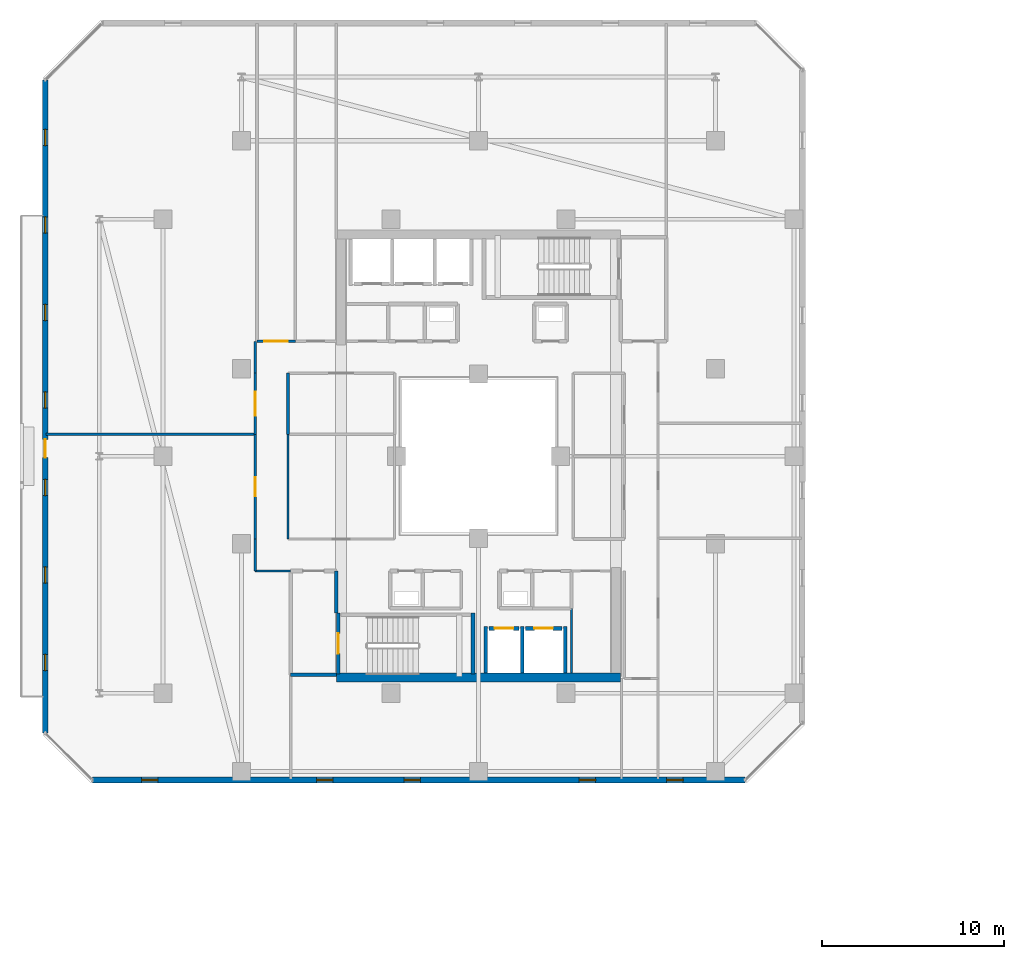
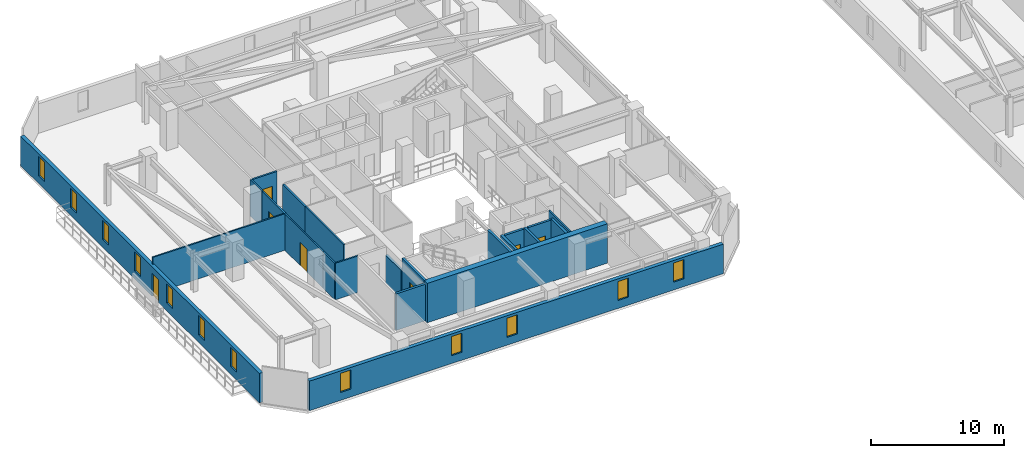
# One storey, part 19 of 33: 22 walls, 12 windows, 7 doors, 19 openings.
"""IFC4 building model written with IfcOpenShell, lengths in metres."""

from ifc_helpers import new_model, si_unit, direction, frame, frame_2d, origin, place, context, subcontext, project, spatial, rectangle, extrude, material, layer, layer_set, type_object, element, fill, save


model = new_model("IFC4")

# Units and contexts
model_context = context("Model", 3, precision=1e-05, world=origin(), true_north=direction((0.0, 1.0)))
body_context = subcontext(model_context, "Body", "Model", "MODEL_VIEW")
ifc_project = project(units=[si_unit("LENGTHUNIT", "METRE"), si_unit("AREAUNIT", "SQUARE_METRE"), si_unit("VOLUMEUNIT", "CUBIC_METRE"), si_unit("PLANEANGLEUNIT", "RADIAN"), si_unit("MASSUNIT", "GRAM", prefix="KILO")], contexts=[model_context])

# Site, building, storey
site_placement = place(None, origin())
site = spatial("IfcSite", under=ifc_project, at=site_placement, CompositionType="ELEMENT")
building_placement = place(site_placement, origin())
building = spatial("IfcBuilding", under=site, at=building_placement, Name="Thornwick Lancets Civic Towers", CompositionType="ELEMENT")
storey_placement = place(building_placement, frame((0.0, 0.0, 214.5)))
storey = spatial("IfcBuildingStorey", under=building, at=storey_placement, Name="L57", CompositionType="ELEMENT", Elevation=214.5)

# Wall, opening, door
ifc_material_1 = material(Name="Concrete blockwork C40/50", Category="masonry")
ifc_layer_1 = layer(ifc_material_1, 0.199951171875, Name="Concrete blockwork C40/50")
ifc_layer_set_1 = layer_set([ifc_layer_1], Name="Concrete blockwork C40/50")
wall_type_1 = type_object("IfcWallType", Name="WALL_COMP_200", PredefinedType="STANDARD", material=ifc_layer_set_1)
wall_1_placement = place(storey_placement, frame((26.080078125, 17.550048828125, 0.0), z_axis=(0.0, 0.0, 1.0), x_axis=(1.0, 0.0, 0.0)))
wall_1 = element("IfcWall", 1, at=wall_1_placement, inside=storey, type_object=wall_type_1, Name="L57 Hoistway Front Wall FL-A1", PredefinedType="STANDARD", context=body_context, shape_type="SweptSolid", body=[
    extrude(rectangle(XDim=1.639892578125, YDim=0.199951171875, at=frame_2d((0.81982421875, 0.0))), origin(), (0.0, 0.0, 1.0), 3.340087890625),
])
opening_1_placement = place(wall_1_placement, frame((0.31005859375, 0.0, 0.0)))
opening_1 = element("IfcOpeningElement", 2, at=opening_1_placement, cuts=wall_1, Name="Opening LD-FL-A1", PredefinedType="OPENING", context=body_context, shape_type="SweptSolid", body=[
    extrude(rectangle(XDim=1.02001953125, YDim=2.06005859375, at=frame_2d((0.510009765625, 1.030029296875))), frame((0.0, 0.10986328125, 0.0), z_axis=(0.0, -1.0, 0.0), x_axis=(1.0, 0.0, 0.0)), (0.0, 0.0, 1.0), 0.219970703125),
])
ifc_material_2 = material(Name="Brushed bronze stainless steel", Category="steel")
door_type_1 = type_object("IfcDoorType", Name="DOOR_LIFT_SLIDE", OperationType="SLIDING_TO_LEFT", PredefinedType="DOOR", material=ifc_material_2)
door_1_placement = place(opening_1_placement, origin())
door_1 = element("IfcDoor", 3, at=door_1_placement, inside=storey, type_object=door_type_1, Name="L57 Sliding Lift Landing Door LD-FL-A1", OperationType="SLIDING_TO_LEFT", OverallHeight=2.06005859375, OverallWidth=1.02001953125, PredefinedType="DOOR", context=body_context, shape_type="SweptSolid", body=[
    extrude(rectangle(XDim=1.02001953125, YDim=2.06005859375, at=frame_2d((0.510009765625, 1.030029296875))), frame((0.0, 0.02490234375, 0.0), z_axis=(0.0, -1.0, 0.0), x_axis=(1.0, 0.0, 0.0)), (0.0, 0.0, 1.0), 0.050048828125),
])
fill(opening_1, door_1)

wall_2_placement = place(storey_placement, frame((28.080078125, 17.550048828125, 0.0), z_axis=(0.0, 0.0, 1.0), x_axis=(1.0, 0.0, 0.0)))
wall_2 = element("IfcWall", 4, at=wall_2_placement, inside=storey, type_object=wall_type_1, Name="L57 Hoistway Front Wall PL-AH1", PredefinedType="STANDARD", context=body_context, shape_type="SweptSolid", body=[
    extrude(rectangle(XDim=1.989990234375, YDim=0.199951171875, at=frame_2d((0.9951171875, 0.0))), origin(), (0.0, 0.0, 1.0), 3.340087890625),
])
opening_2_placement = place(wall_2_placement, frame((0.485107421875, 0.0, 0.0)))
opening_2 = element("IfcOpeningElement", 5, at=opening_2_placement, cuts=wall_2, Name="Opening LD-PL-AH1", PredefinedType="OPENING", context=body_context, shape_type="SweptSolid", body=[
    extrude(rectangle(XDim=1.02001953125, YDim=2.06005859375, at=frame_2d((0.510009765625, 1.030029296875))), frame((0.0, 0.10986328125, 0.0), z_axis=(0.0, -1.0, 0.0), x_axis=(1.0, 0.0, 0.0)), (0.0, 0.0, 1.0), 0.219970703125),
])
door_2_placement = place(opening_2_placement, origin())
door_2 = element("IfcDoor", 6, at=door_2_placement, inside=storey, type_object=door_type_1, Name="L57 Sliding Lift Landing Door LD-PL-AH1", OperationType="SLIDING_TO_LEFT", OverallHeight=2.06005859375, OverallWidth=1.02001953125, PredefinedType="DOOR", context=body_context, shape_type="SweptSolid", body=[
    extrude(rectangle(XDim=1.02001953125, YDim=2.06005859375, at=frame_2d((0.510009765625, 1.030029296875))), frame((0.0, 0.02490234375, 0.0), z_axis=(0.0, -1.0, 0.0), x_axis=(1.0, 0.0, 0.0)), (0.0, 0.0, 1.0), 0.050048828125),
])
fill(opening_2, door_2)

# Walls
for number, where, z_axis, x_axis, name in (
    (7, (27.89990234375, 15.112060546875, 0.0), (0.0, 0.0, 1.0), (0.0, 1.0, 0.0), "L57 Hoistway Shaft Wall FL-A1 E"),
    (8, (25.89990234375, 15.112060546875, 0.0), (0.0, 0.0, 1.0), (0.0, 1.0, 0.0), "L57 Hoistway Shaft Wall FL-A1 W"),
    (9, (30.25, 15.112060546875, 0.0), (0.0, 0.0, 1.0), (0.0, 1.0, 0.0), "L57 Hoistway Shaft Wall PL-AH1 E"),
):
    element("IfcWall", number, at=place(storey_placement, frame(where, z_axis=z_axis, x_axis=x_axis)), inside=storey, type_object=wall_type_1, Name=name, PredefinedType="STANDARD", context=body_context, shape_type="SweptSolid", body=[
        extrude(rectangle(XDim=2.535888671875, YDim=0.199951171875, at=frame_2d((1.26806640625, 0.0))), origin(), (0.0, 0.0, 1.0), 3.340087890625),
    ])
wall_3_placement = place(storey_placement, frame((15.199951171875, 15.0, 0.0), z_axis=(0.0, 0.0, 1.0), x_axis=(1.0, 0.0, 0.0)))
element("IfcWall", 10, at=wall_3_placement, inside=storey, type_object=wall_type_1, Name="L57 Partition L57-A-FFLOB1 E1", PredefinedType="STANDARD", context=body_context, shape_type="SweptSolid", body=[
    extrude(rectangle(XDim=2.5, YDim=0.199951171875, at=frame_2d((1.25, 0.0))), origin(), (0.0, 0.0, 1.0), 3.340087890625),
])
wall_4_placement = place(storey_placement, frame((17.699951171875, 18.39990234375, 0.0), z_axis=(0.0, 0.0, 1.0), x_axis=(0.0, 1.0, 0.0)))
element("IfcWall", 11, at=wall_4_placement, inside=storey, type_object=wall_type_1, Name="L57 Partition L57-A-FFLOB1 E2", PredefinedType="STANDARD", context=body_context, shape_type="SweptSolid", body=[
    extrude(rectangle(XDim=2.300048828125, YDim=0.199951171875, at=frame_2d((1.14990234375, 0.0))), origin(), (0.0, 0.0, 1.0), 2.544921875),
])
ifc_material_3 = material(Name="Concrete C50/60", Category="concrete")
ifc_layer_2 = layer(ifc_material_3, 0.5, Name="Concrete C50/60")
ifc_layer_set_2 = layer_set([ifc_layer_2], Name="Concrete C50/60")
wall_type_2 = type_object("IfcWallType", Name="WALL_CORE_500", PredefinedType="SHEAR", material=ifc_layer_set_2)
wall_5_placement = place(storey_placement, frame((17.699951171875, 14.85009765625, 0.0), z_axis=(0.0, 0.0, 1.0), x_axis=(1.0, 0.0, 0.0)))
element("IfcWall", 12, at=wall_5_placement, inside=storey, type_object=wall_type_2, Name="L57 Split Core A1 Shear Wall S", PredefinedType="SHEAR", context=body_context, shape_type="SweptSolid", body=[
    extrude(rectangle(XDim=15.60009765625, YDim=0.5, at=frame_2d((7.800048828125, 0.0))), origin(), (0.0, 0.0, 1.0), 3.60009765625),
])

# Wall, openings, windows
ifc_material_4 = material(Name="Insulated buff terracotta rainscreen on concrete C40/50", Category="masonry")
ifc_layer_3 = layer(ifc_material_4, 0.320068359375, Name="Insulated buff terracotta rainscreen on concrete C40/50")
ifc_layer_set_3 = layer_set([ifc_layer_3], Name="Insulated buff terracotta rainscreen on concrete C40/50")
wall_type_3 = type_object("IfcWallType", Name="WALL_EXT_TERRA_320", PredefinedType="STANDARD", material=ifc_layer_set_3)
wall_6_placement = place(storey_placement, frame((4.318603515625, 9.2353515625, 0.0), z_axis=(0.0, 0.0, 1.0), x_axis=(0.999999998513, 5.4540124e-05, 0.0)))
wall_6 = element("IfcWall", 13, at=wall_6_placement, inside=storey, type_object=wall_type_3, Name="L57 Tower A Terracotta Facade Wall E0", PredefinedType="STANDARD", context=body_context, shape_type="SweptSolid", body=[
    extrude(rectangle(XDim=35.810791015625, YDim=0.320068359375, at=frame_2d((17.9052734375, 0.0))), origin(), (0.0, 0.0, 1.0), 2.699951171875),
])
opening_3_placement = place(wall_6_placement, frame((2.699951171875, 0.0, 0.719970703125)))
opening_3 = element("IfcOpeningElement", 14, at=opening_3_placement, cuts=wall_6, Name="Opening WL-01", PredefinedType="OPENING", context=body_context, shape_type="SweptSolid", body=[
    extrude(rectangle(XDim=0.89990234375, YDim=1.75, at=frame_2d((0.449951171875, 0.875))), frame((0.0, 0.169921875, 0.0), z_axis=(0.0, -1.0, 0.0), x_axis=(1.0, 0.0, 0.0)), (0.0, 0.0, 1.0), 0.340087890625),
])
opening_4_placement = place(wall_6_placement, frame((12.300048828125, 0.0, 0.719970703125)))
opening_4 = element("IfcOpeningElement", 15, at=opening_4_placement, cuts=wall_6, Name="Opening WL-01", PredefinedType="OPENING", context=body_context, shape_type="SweptSolid", body=[
    extrude(rectangle(XDim=0.89990234375, YDim=1.75, at=frame_2d((0.449951171875, 0.875))), frame((0.0, 0.169921875, 0.0), z_axis=(0.0, -1.0, 0.0), x_axis=(1.0, 0.0, 0.0)), (0.0, 0.0, 1.0), 0.340087890625),
])
opening_5_placement = place(wall_6_placement, frame((17.10009765625, 0.0, 0.719970703125)))
opening_5 = element("IfcOpeningElement", 16, at=opening_5_placement, cuts=wall_6, Name="Opening WL-01", PredefinedType="OPENING", context=body_context, shape_type="SweptSolid", body=[
    extrude(rectangle(XDim=0.89990234375, YDim=1.75, at=frame_2d((0.449951171875, 0.875))), frame((0.0, 0.169921875, 0.0), z_axis=(0.0, -1.0, 0.0), x_axis=(1.0, 0.0, 0.0)), (0.0, 0.0, 1.0), 0.340087890625),
])
opening_6_placement = place(wall_6_placement, frame((26.699951171875, 0.0, 0.719970703125)))
opening_6 = element("IfcOpeningElement", 17, at=opening_6_placement, cuts=wall_6, Name="Opening WL-01", PredefinedType="OPENING", context=body_context, shape_type="SweptSolid", body=[
    extrude(rectangle(XDim=0.89990234375, YDim=1.75, at=frame_2d((0.449951171875, 0.875))), frame((0.0, 0.169921875, 0.0), z_axis=(0.0, -1.0, 0.0), x_axis=(1.0, 0.0, 0.0)), (0.0, 0.0, 1.0), 0.340087890625),
])
opening_7_placement = place(wall_6_placement, frame((31.5, 0.0, 0.719970703125)))
opening_7 = element("IfcOpeningElement", 18, at=opening_7_placement, cuts=wall_6, Name="Opening WL-01", PredefinedType="OPENING", context=body_context, shape_type="SweptSolid", body=[
    extrude(rectangle(XDim=0.89990234375, YDim=1.75, at=frame_2d((0.449951171875, 0.875))), frame((0.0, 0.169921875, 0.0), z_axis=(0.0, -1.0, 0.0), x_axis=(1.0, 0.0, 0.0)), (0.0, 0.0, 1.0), 0.340087890625),
])
ifc_material_5 = material(Name="Clear low-e double glazing in bronze frame", Category="glass")
window_type = type_object("IfcWindowType", Name="WIN_LANCET_900", PartitioningType="SINGLE_PANEL", PredefinedType="WINDOW", material=ifc_material_5)
window_1_placement = place(opening_3_placement, origin())
window_1 = element("IfcWindow", 19, at=window_1_placement, inside=storey, type_object=window_type, Name="L57 Tower A Staggered Lancet Window E0-1", OverallHeight=1.75, OverallWidth=0.89990234375, PartitioningType="SINGLE_PANEL", PredefinedType="WINDOW", context=body_context, shape_type="SweptSolid", body=[
    extrude(rectangle(XDim=0.89990234375, YDim=1.75, at=frame_2d((0.449951171875, 0.875))), frame((0.0, 0.030029296875, 0.0), z_axis=(0.0, -1.0, 0.0), x_axis=(1.0, 0.0, 0.0)), (0.0, 0.0, 1.0), 0.06005859375),
])
fill(opening_3, window_1)
window_2_placement = place(opening_4_placement, origin())
window_2 = element("IfcWindow", 20, at=window_2_placement, inside=storey, type_object=window_type, Name="L57 Tower A Staggered Lancet Window E0-2", OverallHeight=1.75, OverallWidth=0.89990234375, PartitioningType="SINGLE_PANEL", PredefinedType="WINDOW", context=body_context, shape_type="SweptSolid", body=[
    extrude(rectangle(XDim=0.89990234375, YDim=1.75, at=frame_2d((0.449951171875, 0.875))), frame((0.0, 0.030029296875, 0.0), z_axis=(0.0, -1.0, 0.0), x_axis=(1.0, 0.0, 0.0)), (0.0, 0.0, 1.0), 0.06005859375),
])
fill(opening_4, window_2)
window_3_placement = place(opening_5_placement, origin())
window_3 = element("IfcWindow", 21, at=window_3_placement, inside=storey, type_object=window_type, Name="L57 Tower A Staggered Lancet Window E0-3", OverallHeight=1.75, OverallWidth=0.89990234375, PartitioningType="SINGLE_PANEL", PredefinedType="WINDOW", context=body_context, shape_type="SweptSolid", body=[
    extrude(rectangle(XDim=0.89990234375, YDim=1.75, at=frame_2d((0.449951171875, 0.875))), frame((0.0, 0.030029296875, 0.0), z_axis=(0.0, -1.0, 0.0), x_axis=(1.0, 0.0, 0.0)), (0.0, 0.0, 1.0), 0.06005859375),
])
fill(opening_5, window_3)
window_4_placement = place(opening_6_placement, origin())
window_4 = element("IfcWindow", 22, at=window_4_placement, inside=storey, type_object=window_type, Name="L57 Tower A Staggered Lancet Window E0-4", OverallHeight=1.75, OverallWidth=0.89990234375, PartitioningType="SINGLE_PANEL", PredefinedType="WINDOW", context=body_context, shape_type="SweptSolid", body=[
    extrude(rectangle(XDim=0.89990234375, YDim=1.75, at=frame_2d((0.449951171875, 0.875))), frame((0.0, 0.030029296875, 0.0), z_axis=(0.0, -1.0, 0.0), x_axis=(1.0, 0.0, 0.0)), (0.0, 0.0, 1.0), 0.06005859375),
])
fill(opening_6, window_4)
window_5_placement = place(opening_7_placement, origin())
window_5 = element("IfcWindow", 23, at=window_5_placement, inside=storey, type_object=window_type, Name="L57 Tower A Staggered Lancet Window E0-5", OverallHeight=1.75, OverallWidth=0.89990234375, PartitioningType="SINGLE_PANEL", PredefinedType="WINDOW", context=body_context, shape_type="SweptSolid", body=[
    extrude(rectangle(XDim=0.89990234375, YDim=1.75, at=frame_2d((0.449951171875, 0.875))), frame((0.0, 0.030029296875, 0.0), z_axis=(0.0, -1.0, 0.0), x_axis=(1.0, 0.0, 0.0)), (0.0, 0.0, 1.0), 0.06005859375),
])
fill(opening_7, window_5)

# Wall, openings, door, windows
wall_7_placement = place(storey_placement, frame((1.7373046875, 47.62939453125, 0.0), z_axis=(0.0, 0.0, 1.0), x_axis=(-5.4540124e-05, -0.999999998513, 0.0)))
wall_7 = element("IfcWall", 24, at=wall_7_placement, inside=storey, type_object=wall_type_3, Name="L57 Tower A Terracotta Facade Wall E6", PredefinedType="STANDARD", context=body_context, shape_type="SweptSolid", body=[
    extrude(rectangle(XDim=35.810791015625, YDim=0.320068359375, at=frame_2d((17.9052734375, 0.0))), origin(), (0.0, 0.0, 1.0), 2.699951171875),
])
opening_8_placement = place(wall_7_placement, frame((19.70556640625, 0.0, 0.0)))
opening_8 = element("IfcOpeningElement", 25, at=opening_8_placement, cuts=wall_7, Name="Opening D-BL-L57-AW", PredefinedType="OPENING", context=body_context, shape_type="SweptSolid", body=[
    extrude(rectangle(XDim=1.0, YDim=2.080078125, at=frame_2d((0.5, 1.0400390625))), frame((0.0, 0.169921875, 0.0), z_axis=(0.0, -1.0, 0.0), x_axis=(1.0, 0.0, 0.0)), (0.0, 0.0, 1.0), 0.340087890625),
])
opening_9_placement = place(wall_7_placement, frame((2.699951171875, 0.0, 0.719970703125)))
opening_9 = element("IfcOpeningElement", 26, at=opening_9_placement, cuts=wall_7, Name="Opening WL-01", PredefinedType="OPENING", context=body_context, shape_type="SweptSolid", body=[
    extrude(rectangle(XDim=0.89990234375, YDim=1.75, at=frame_2d((0.449951171875, 0.875))), frame((0.0, 0.169921875, 0.0), z_axis=(0.0, -1.0, 0.0), x_axis=(1.0, 0.0, 0.0)), (0.0, 0.0, 1.0), 0.340087890625),
])
opening_10_placement = place(wall_7_placement, frame((7.5, 0.0, 0.719970703125)))
opening_10 = element("IfcOpeningElement", 27, at=opening_10_placement, cuts=wall_7, Name="Opening WL-01", PredefinedType="OPENING", context=body_context, shape_type="SweptSolid", body=[
    extrude(rectangle(XDim=0.89990234375, YDim=1.75, at=frame_2d((0.449951171875, 0.875))), frame((0.0, 0.169921875, 0.0), z_axis=(0.0, -1.0, 0.0), x_axis=(1.0, 0.0, 0.0)), (0.0, 0.0, 1.0), 0.340087890625),
])
opening_11_placement = place(wall_7_placement, frame((12.300048828125, 0.0, 0.719970703125)))
opening_11 = element("IfcOpeningElement", 28, at=opening_11_placement, cuts=wall_7, Name="Opening WL-01", PredefinedType="OPENING", context=body_context, shape_type="SweptSolid", body=[
    extrude(rectangle(XDim=0.89990234375, YDim=1.75, at=frame_2d((0.449951171875, 0.875))), frame((0.0, 0.169921875, 0.0), z_axis=(0.0, -1.0, 0.0), x_axis=(1.0, 0.0, 0.0)), (0.0, 0.0, 1.0), 0.340087890625),
])
opening_12_placement = place(wall_7_placement, frame((17.10009765625, 0.0, 0.719970703125)))
opening_12 = element("IfcOpeningElement", 29, at=opening_12_placement, cuts=wall_7, Name="Opening WL-01", PredefinedType="OPENING", context=body_context, shape_type="SweptSolid", body=[
    extrude(rectangle(XDim=0.89990234375, YDim=1.75, at=frame_2d((0.449951171875, 0.875))), frame((0.0, 0.169921875, 0.0), z_axis=(0.0, -1.0, 0.0), x_axis=(1.0, 0.0, 0.0)), (0.0, 0.0, 1.0), 0.340087890625),
])
opening_13_placement = place(wall_7_placement, frame((21.89990234375, 0.0, 0.719970703125)))
opening_13 = element("IfcOpeningElement", 30, at=opening_13_placement, cuts=wall_7, Name="Opening WL-01", PredefinedType="OPENING", context=body_context, shape_type="SweptSolid", body=[
    extrude(rectangle(XDim=0.89990234375, YDim=1.75, at=frame_2d((0.449951171875, 0.875))), frame((0.0, 0.169921875, 0.0), z_axis=(0.0, -1.0, 0.0), x_axis=(1.0, 0.0, 0.0)), (0.0, 0.0, 1.0), 0.340087890625),
])
opening_14_placement = place(wall_7_placement, frame((26.699951171875, 0.0, 0.719970703125)))
opening_14 = element("IfcOpeningElement", 31, at=opening_14_placement, cuts=wall_7, Name="Opening WL-01", PredefinedType="OPENING", context=body_context, shape_type="SweptSolid", body=[
    extrude(rectangle(XDim=0.89990234375, YDim=1.75, at=frame_2d((0.449951171875, 0.875))), frame((0.0, 0.169921875, 0.0), z_axis=(0.0, -1.0, 0.0), x_axis=(1.0, 0.0, 0.0)), (0.0, 0.0, 1.0), 0.340087890625),
])
opening_15_placement = place(wall_7_placement, frame((31.5, 0.0, 0.719970703125)))
opening_15 = element("IfcOpeningElement", 32, at=opening_15_placement, cuts=wall_7, Name="Opening WL-01", PredefinedType="OPENING", context=body_context, shape_type="SweptSolid", body=[
    extrude(rectangle(XDim=0.89990234375, YDim=1.75, at=frame_2d((0.449951171875, 0.875))), frame((0.0, 0.169921875, 0.0), z_axis=(0.0, -1.0, 0.0), x_axis=(1.0, 0.0, 0.0)), (0.0, 0.0, 1.0), 0.340087890625),
])
ifc_material_6 = material(Name="Thermally broken glazed loggia doorset")
door_type_2 = type_object("IfcDoorType", Name="DOOR_BALC_1000", OperationType="NOTDEFINED", PredefinedType="DOOR", material=ifc_material_6)
door_3_placement = place(opening_8_placement, origin())
door_3 = element("IfcDoor", 33, at=door_3_placement, inside=storey, type_object=door_type_2, Name="L57 Tower A Loggia Balcony Door W", OperationType="SINGLE_SWING_RIGHT", OverallHeight=2.080078125, OverallWidth=1.0, PredefinedType="DOOR", context=body_context, shape_type="SweptSolid", body=[
    extrude(rectangle(XDim=1.0, YDim=2.080078125, at=frame_2d((0.5, 1.0400390625))), frame((0.0, 0.02490234375, 0.0), z_axis=(0.0, -1.0, 0.0), x_axis=(1.0, 0.0, 0.0)), (0.0, 0.0, 1.0), 0.050048828125),
])
fill(opening_8, door_3)
window_6_placement = place(opening_9_placement, origin())
window_6 = element("IfcWindow", 34, at=window_6_placement, inside=storey, type_object=window_type, Name="L57 Tower A Staggered Lancet Window E6-1", OverallHeight=1.75, OverallWidth=0.89990234375, PartitioningType="SINGLE_PANEL", PredefinedType="WINDOW", context=body_context, shape_type="SweptSolid", body=[
    extrude(rectangle(XDim=0.89990234375, YDim=1.75, at=frame_2d((0.449951171875, 0.875))), frame((0.0, 0.030029296875, 0.0), z_axis=(0.0, -1.0, 0.0), x_axis=(1.0, 0.0, 0.0)), (0.0, 0.0, 1.0), 0.06005859375),
])
fill(opening_9, window_6)
window_7_placement = place(opening_10_placement, origin())
window_7 = element("IfcWindow", 35, at=window_7_placement, inside=storey, type_object=window_type, Name="L57 Tower A Staggered Lancet Window E6-2", OverallHeight=1.75, OverallWidth=0.89990234375, PartitioningType="SINGLE_PANEL", PredefinedType="WINDOW", context=body_context, shape_type="SweptSolid", body=[
    extrude(rectangle(XDim=0.89990234375, YDim=1.75, at=frame_2d((0.449951171875, 0.875))), frame((0.0, 0.030029296875, 0.0), z_axis=(0.0, -1.0, 0.0), x_axis=(1.0, 0.0, 0.0)), (0.0, 0.0, 1.0), 0.06005859375),
])
fill(opening_10, window_7)
window_8_placement = place(opening_11_placement, origin())
window_8 = element("IfcWindow", 36, at=window_8_placement, inside=storey, type_object=window_type, Name="L57 Tower A Staggered Lancet Window E6-3", OverallHeight=1.75, OverallWidth=0.89990234375, PartitioningType="SINGLE_PANEL", PredefinedType="WINDOW", context=body_context, shape_type="SweptSolid", body=[
    extrude(rectangle(XDim=0.89990234375, YDim=1.75, at=frame_2d((0.449951171875, 0.875))), frame((0.0, 0.030029296875, 0.0), z_axis=(0.0, -1.0, 0.0), x_axis=(1.0, 0.0, 0.0)), (0.0, 0.0, 1.0), 0.06005859375),
])
fill(opening_11, window_8)
window_9_placement = place(opening_12_placement, origin())
window_9 = element("IfcWindow", 37, at=window_9_placement, inside=storey, type_object=window_type, Name="L57 Tower A Staggered Lancet Window E6-4", OverallHeight=1.75, OverallWidth=0.89990234375, PartitioningType="SINGLE_PANEL", PredefinedType="WINDOW", context=body_context, shape_type="SweptSolid", body=[
    extrude(rectangle(XDim=0.89990234375, YDim=1.75, at=frame_2d((0.449951171875, 0.875))), frame((0.0, 0.030029296875, 0.0), z_axis=(0.0, -1.0, 0.0), x_axis=(1.0, 0.0, 0.0)), (0.0, 0.0, 1.0), 0.06005859375),
])
fill(opening_12, window_9)
window_10_placement = place(opening_13_placement, origin())
window_10 = element("IfcWindow", 38, at=window_10_placement, inside=storey, type_object=window_type, Name="L57 Tower A Staggered Lancet Window E6-5", OverallHeight=1.75, OverallWidth=0.89990234375, PartitioningType="SINGLE_PANEL", PredefinedType="WINDOW", context=body_context, shape_type="SweptSolid", body=[
    extrude(rectangle(XDim=0.89990234375, YDim=1.75, at=frame_2d((0.449951171875, 0.875))), frame((0.0, 0.030029296875, 0.0), z_axis=(0.0, -1.0, 0.0), x_axis=(1.0, 0.0, 0.0)), (0.0, 0.0, 1.0), 0.06005859375),
])
fill(opening_13, window_10)
window_11_placement = place(opening_14_placement, origin())
window_11 = element("IfcWindow", 39, at=window_11_placement, inside=storey, type_object=window_type, Name="L57 Tower A Staggered Lancet Window E6-6", OverallHeight=1.75, OverallWidth=0.89990234375, PartitioningType="SINGLE_PANEL", PredefinedType="WINDOW", context=body_context, shape_type="SweptSolid", body=[
    extrude(rectangle(XDim=0.89990234375, YDim=1.75, at=frame_2d((0.449951171875, 0.875))), frame((0.0, 0.030029296875, 0.0), z_axis=(0.0, -1.0, 0.0), x_axis=(1.0, 0.0, 0.0)), (0.0, 0.0, 1.0), 0.06005859375),
])
fill(opening_14, window_11)
window_12_placement = place(opening_15_placement, origin())
window_12 = element("IfcWindow", 40, at=window_12_placement, inside=storey, type_object=window_type, Name="L57 Tower A Staggered Lancet Window E6-7", OverallHeight=1.75, OverallWidth=0.89990234375, PartitioningType="SINGLE_PANEL", PredefinedType="WINDOW", context=body_context, shape_type="SweptSolid", body=[
    extrude(rectangle(XDim=0.89990234375, YDim=1.75, at=frame_2d((0.449951171875, 0.875))), frame((0.0, 0.030029296875, 0.0), z_axis=(0.0, -1.0, 0.0), x_axis=(1.0, 0.0, 0.0)), (0.0, 0.0, 1.0), 0.06005859375),
])
fill(opening_15, window_12)

# Walls
ifc_material_7 = material(Name="Acoustic gypsum board partition")
ifc_layer_4 = layer(ifc_material_7, 0.1201171875, Name="Acoustic gypsum board partition")
ifc_layer_set_4 = layer_set([ifc_layer_4], Name="Acoustic gypsum board partition")
wall_type_4 = type_object("IfcWallType", Name="WALL_PART_120", PredefinedType="PARTITIONING", material=ifc_layer_set_4)
wall_8_placement = place(storey_placement, frame((30.60009765625, 15.10009765625, 0.0), z_axis=(0.0, 0.0, 1.0), x_axis=(0.0, 1.0, 0.0)))
element("IfcWall", 41, at=wall_8_placement, inside=storey, type_object=wall_type_4, Name="L57 Partition L57-A-ITR E3", PredefinedType="PARTITIONING", context=body_context, shape_type="SweptSolid", body=[
    extrude(rectangle(XDim=3.5498046875, YDim=0.1201171875, at=frame_2d((1.77490234375, 0.0))), origin(), (0.0, 0.0, 1.0), 3.340087890625),
])
wall_9_placement = place(storey_placement, frame((1.780029296875, 28.199951171875, 0.0), z_axis=(0.0, 0.0, 1.0), x_axis=(1.0, 0.0, 0.0)))
element("IfcWall", 42, at=wall_9_placement, inside=storey, type_object=wall_type_4, Name="L57 Partition L57-A-W1 E2", PredefinedType="PARTITIONING", context=body_context, shape_type="SweptSolid", body=[
    extrude(rectangle(XDim=11.469970703125, YDim=0.1201171875, at=frame_2d((5.73486328125, 0.0))), origin(), (0.0, 0.0, 1.0), 3.340087890625),
])

# Wall, opening, door
wall_10_placement = place(storey_placement, frame((13.25, 28.199951171875, 0.0), z_axis=(0.0, 0.0, 1.0), x_axis=(0.0, -1.0, 0.0)))
wall_10 = element("IfcWall", 43, at=wall_10_placement, inside=storey, type_object=wall_type_4, Name="L57 Partition L57-A-W1 E3", PredefinedType="PARTITIONING", context=body_context, shape_type="SweptSolid", body=[
    extrude(rectangle(XDim=5.75, YDim=0.1201171875, at=frame_2d((2.875, 0.0))), origin(), (0.0, 0.0, 1.0), 3.340087890625),
])
opening_16_placement = place(wall_10_placement, frame((2.35009765625, 0.0, 0.0)))
opening_16 = element("IfcOpeningElement", 44, at=opening_16_placement, cuts=wall_10, Name="Opening D-L57-2554", PredefinedType="OPENING", context=body_context, shape_type="SweptSolid", body=[
    extrude(rectangle(XDim=1.050048828125, YDim=2.10009765625, at=frame_2d((0.52490234375, 1.050048828125))), frame((0.0, 0.070068359375, 0.0), z_axis=(0.0, -1.0, 0.0), x_axis=(1.0, 0.0, 0.0)), (0.0, 0.0, 1.0), 0.14013671875),
])
ifc_material_8 = material(Name="Glazed European oak executive doorset")
door_type_3 = type_object("IfcDoorType", Name="DOOR_OFFICE_1050", OperationType="NOTDEFINED", PredefinedType="DOOR", material=ifc_material_8)
door_4_placement = place(opening_16_placement, origin())
door_4 = element("IfcDoor", 45, at=door_4_placement, inside=storey, type_object=door_type_3, Name="L57 Tower A Ministry Directorate Office W1 Door", OperationType="SINGLE_SWING_LEFT", OverallHeight=2.10009765625, OverallWidth=1.050048828125, PredefinedType="DOOR", context=body_context, shape_type="SweptSolid", body=[
    extrude(rectangle(XDim=1.050048828125, YDim=2.10009765625, at=frame_2d((0.52490234375, 1.050048828125))), frame((0.0, 0.02490234375, 0.0), z_axis=(0.0, -1.0, 0.0), x_axis=(1.0, 0.0, 0.0)), (0.0, 0.0, 1.0), 0.050048828125),
])
fill(opening_16, door_4)

# Walls
wall_11_placement = place(storey_placement, frame((13.25, 22.449951171875, 0.0), z_axis=(0.0, 0.0, 1.0), x_axis=(0.0, -1.0, 0.0)))
element("IfcWall", 46, at=wall_11_placement, inside=storey, type_object=wall_type_4, Name="L57 Partition L57-A-W1 E4", PredefinedType="PARTITIONING", context=body_context, shape_type="SweptSolid", body=[
    extrude(rectangle(XDim=1.75, YDim=0.1201171875, at=frame_2d((0.875, 0.0))), origin(), (0.0, 0.0, 1.0), 3.340087890625),
])
wall_12_placement = place(storey_placement, frame((13.25, 20.699951171875, 0.0), z_axis=(0.0, 0.0, 1.0), x_axis=(1.0, 0.0, 0.0)))
element("IfcWall", 47, at=wall_12_placement, inside=storey, type_object=wall_type_4, Name="L57 Partition L57-A-W1 E5", PredefinedType="PARTITIONING", context=body_context, shape_type="SweptSolid", body=[
    extrude(rectangle(XDim=1.949951171875, YDim=0.1201171875, at=frame_2d((0.97509765625, 0.0))), origin(), (0.0, 0.0, 1.0), 3.340087890625),
])
wall_13_placement = place(storey_placement, frame((15.050048828125, 22.449951171875, 0.0), z_axis=(0.0, 0.0, 1.0), x_axis=(0.0, 1.0, 0.0)))
element("IfcWall", 48, at=wall_13_placement, inside=storey, type_object=wall_type_4, Name="L57 Partition L57-A-W3 E1", PredefinedType="PARTITIONING", context=body_context, shape_type="SweptSolid", body=[
    extrude(rectangle(XDim=5.75, YDim=0.1201171875, at=frame_2d((2.875, 0.0))), origin(), (0.0, 0.0, 1.0), 3.340087890625),
])

# Wall, opening, door
ifc_material_9 = material(Name="Twin-stud acoustic gypsum board")
ifc_layer_5 = layer(ifc_material_9, 0.14990234375, Name="Twin-stud acoustic gypsum board")
ifc_layer_set_5 = layer_set([ifc_layer_5], Name="Twin-stud acoustic gypsum board")
wall_type_5 = type_object("IfcWallType", Name="WALL_PART_150", PredefinedType="PARTITIONING", material=ifc_layer_set_5)
wall_14_placement = place(storey_placement, frame((15.449951171875, 33.300048828125, 0.0), z_axis=(0.0, 0.0, 1.0), x_axis=(-1.0, 0.0, 0.0)))
wall_14 = element("IfcWall", 49, at=wall_14_placement, inside=storey, type_object=wall_type_5, Name="L57 Partition L57-A-RECLAIM-M1 E4", PredefinedType="PARTITIONING", context=body_context, shape_type="SweptSolid", body=[
    extrude(rectangle(XDim=2.099853515625, YDim=0.14990234375, at=frame_2d((1.0498046875, 0.0))), origin(), (0.0, 0.0, 1.0), 3.340087890625),
])
opening_17_placement = place(wall_14_placement, frame((0.39990234375, 0.0, 0.0)))
opening_17 = element("IfcOpeningElement", 50, at=opening_17_placement, cuts=wall_14, Name="Opening D-L57-2552", PredefinedType="OPENING", context=body_context, shape_type="SweptSolid", body=[
    extrude(rectangle(XDim=1.300048828125, YDim=2.1201171875, at=frame_2d((0.64990234375, 1.06005859375))), frame((0.0, 0.0849609375, 0.0), z_axis=(0.0, -1.0, 0.0), x_axis=(1.0, 0.0, 0.0)), (0.0, 0.0, 1.0), 0.169921875),
])
ifc_material_10 = material(Name="Acoustic oak leaf-and-a-half doorset")
door_type_4 = type_object("IfcDoorType", Name="DOOR_MEET_1300", OperationType="DOUBLE_DOOR_SINGLE_SWING", PredefinedType="DOOR", material=ifc_material_10)
door_5_placement = place(opening_17_placement, origin())
door_5 = element("IfcDoor", 51, at=door_5_placement, inside=storey, type_object=door_type_4, Name="L57 Tower A Diplomatic Conference Room Door", OperationType="DOUBLE_DOOR_SINGLE_SWING", OverallHeight=2.1201171875, OverallWidth=1.300048828125, PredefinedType="DOOR", context=body_context, shape_type="SweptSolid", body=[
    extrude(rectangle(XDim=1.300048828125, YDim=2.1201171875, at=frame_2d((0.64990234375, 1.06005859375))), frame((0.0, 0.02490234375, 0.0), z_axis=(0.0, -1.0, 0.0), x_axis=(1.0, 0.0, 0.0)), (0.0, 0.0, 1.0), 0.050048828125),
])
fill(opening_17, door_5)

# Wall
wall_15_placement = place(storey_placement, frame((13.25, 33.300048828125, 0.0), z_axis=(0.0, 0.0, 1.0), x_axis=(0.0, -1.0, 0.0)))
element("IfcWall", 52, at=wall_15_placement, inside=storey, type_object=wall_type_5, Name="L57 Partition L57-A-W2 E5", PredefinedType="PARTITIONING", context=body_context, shape_type="SweptSolid", body=[
    extrude(rectangle(XDim=1.75, YDim=0.14990234375, at=frame_2d((0.875, 0.0))), origin(), (0.0, 0.0, 1.0), 3.340087890625),
])

# Wall, opening, door
wall_16_placement = place(storey_placement, frame((13.25, 31.550048828125, 0.0), z_axis=(0.0, 0.0, 1.0), x_axis=(0.0, -1.0, 0.0)))
wall_16 = element("IfcWall", 53, at=wall_16_placement, inside=storey, type_object=wall_type_5, Name="L57 Partition L57-A-W2 E6", PredefinedType="PARTITIONING", context=body_context, shape_type="SweptSolid", body=[
    extrude(rectangle(XDim=3.35009765625, YDim=0.14990234375, at=frame_2d((1.675048828125, 0.0))), origin(), (0.0, 0.0, 1.0), 3.340087890625),
])
opening_18_placement = place(wall_16_placement, frame((1.02490234375, 0.0, 0.0)))
opening_18 = element("IfcOpeningElement", 54, at=opening_18_placement, cuts=wall_16, Name="Opening D-L57-2555", PredefinedType="OPENING", context=body_context, shape_type="SweptSolid", body=[
    extrude(rectangle(XDim=1.300048828125, YDim=2.1201171875, at=frame_2d((0.64990234375, 1.06005859375))), frame((0.0, 0.0849609375, 0.0), z_axis=(0.0, -1.0, 0.0), x_axis=(1.0, 0.0, 0.0)), (0.0, 0.0, 1.0), 0.169921875),
])
door_6_placement = place(opening_18_placement, origin())
door_6 = element("IfcDoor", 55, at=door_6_placement, inside=storey, type_object=door_type_4, Name="L57 Tower A Policy Briefing Room W2 Door", OperationType="DOUBLE_DOOR_SINGLE_SWING", OverallHeight=2.1201171875, OverallWidth=1.300048828125, PredefinedType="DOOR", context=body_context, shape_type="SweptSolid", body=[
    extrude(rectangle(XDim=1.300048828125, YDim=2.1201171875, at=frame_2d((0.64990234375, 1.06005859375))), frame((0.0, 0.02490234375, 0.0), z_axis=(0.0, -1.0, 0.0), x_axis=(1.0, 0.0, 0.0)), (0.0, 0.0, 1.0), 0.050048828125),
])
fill(opening_18, door_6)

# Wall
wall_17_placement = place(storey_placement, frame((15.050048828125, 28.199951171875, 0.0), z_axis=(0.0, 0.0, 1.0), x_axis=(0.0, 1.0, 0.0)))
element("IfcWall", 56, at=wall_17_placement, inside=storey, type_object=wall_type_5, Name="L57 Partition L57-A-W4 E1", PredefinedType="PARTITIONING", context=body_context, shape_type="SweptSolid", body=[
    extrude(rectangle(XDim=3.35009765625, YDim=0.14990234375, at=frame_2d((1.675048828125, 0.0))), origin(), (0.0, 0.0, 1.0), 3.340087890625),
])

# Wall, opening, door
ifc_material_11 = material(Name="Concrete C40/50", Category="concrete")
ifc_layer_6 = layer(ifc_material_11, 0.199951171875, Name="Concrete C40/50")
ifc_layer_set_6 = layer_set([ifc_layer_6], Name="Concrete C40/50")
wall_type_6 = type_object("IfcWallType", Name="WALL_SHAFT_200", PredefinedType="SHEAR", material=ifc_layer_set_6)
wall_18_placement = place(storey_placement, frame((17.800048828125, 15.050048828125, 0.0), z_axis=(0.0, 0.0, 1.0), x_axis=(0.0, 1.0, 0.0)))
wall_18 = element("IfcWall", 57, at=wall_18_placement, inside=storey, type_object=wall_type_6, Name="L57 ST-A1 Fire Stair Core Wall NEAR", PredefinedType="SHEAR", context=body_context, shape_type="SweptSolid", body=[
    extrude(rectangle(XDim=3.349853515625, YDim=0.199951171875, at=frame_2d((1.6748046875, 0.0))), origin(), (0.0, 0.0, 1.0), 3.60009765625),
])
opening_19_placement = place(wall_18_placement, frame((1.125, 0.0, 0.0)))
opening_19 = element("IfcOpeningElement", 58, at=opening_19_placement, cuts=wall_18, Name="Opening D-ST-A1-L57", PredefinedType="OPENING", context=body_context, shape_type="SweptSolid", body=[
    extrude(rectangle(XDim=1.10009765625, YDim=2.10009765625, at=frame_2d((0.550048828125, 1.050048828125))), frame((0.0, 0.10986328125, 0.0), z_axis=(0.0, -1.0, 0.0), x_axis=(1.0, 0.0, 0.0)), (0.0, 0.0, 1.0), 0.219970703125),
])
ifc_material_12 = material(Name="Fire-resisting steel and hardwood", Category="steel")
door_type_5 = type_object("IfcDoorType", Name="DOOR_STAIR_FD60", OperationType="NOTDEFINED", PredefinedType="DOOR", material=ifc_material_12)
door_7_placement = place(opening_19_placement, origin())
door_7 = element("IfcDoor", 59, at=door_7_placement, inside=storey, type_object=door_type_5, Name="L57 ST-A1 Exit Stair Door", OperationType="SINGLE_SWING_RIGHT", OverallHeight=2.10009765625, OverallWidth=1.10009765625, PredefinedType="DOOR", context=body_context, shape_type="SweptSolid", body=[
    extrude(rectangle(XDim=1.10009765625, YDim=2.10009765625, at=frame_2d((0.550048828125, 1.050048828125))), frame((0.0, 0.02490234375, 0.0), z_axis=(0.0, -1.0, 0.0), x_axis=(1.0, 0.0, 0.0)), (0.0, 0.0, 1.0), 0.050048828125),
])
fill(opening_19, door_7)

# Wall
wall_19_placement = place(storey_placement, frame((25.199951171875, 18.39990234375, 0.0), z_axis=(0.0, 0.0, 1.0), x_axis=(0.0, -1.0, 0.0)))
element("IfcWall", 60, at=wall_19_placement, inside=storey, type_object=wall_type_6, Name="L57 ST-A1 Fire Stair Core Wall FAR", PredefinedType="SHEAR", context=body_context, shape_type="SweptSolid", body=[
    extrude(rectangle(XDim=3.349853515625, YDim=0.199951171875, at=frame_2d((1.6748046875, 0.0))), origin(), (0.0, 0.0, 1.0), 3.60009765625),
])

save(model, "model.ifc")
